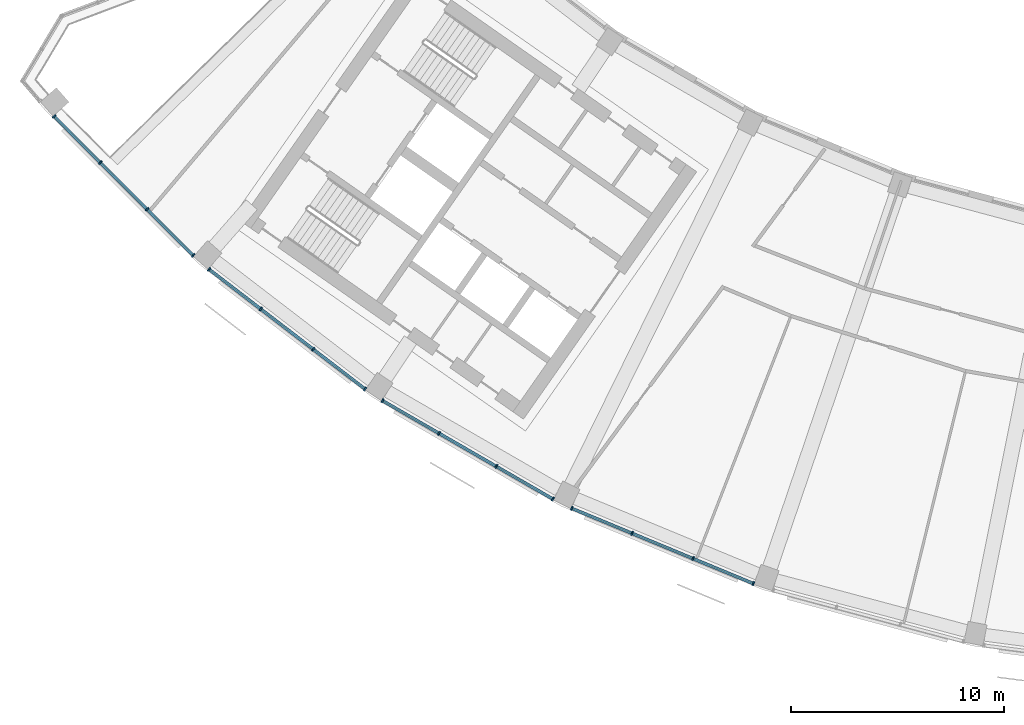
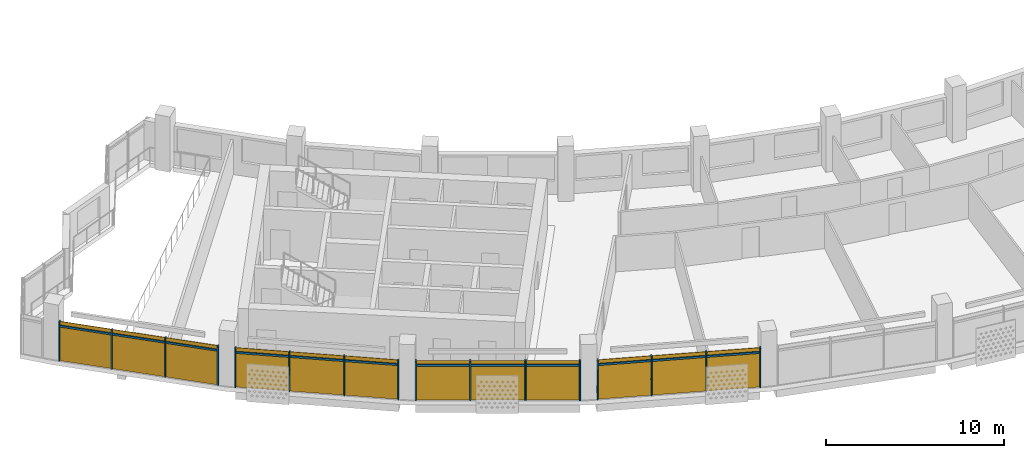
# One storey, part 17 of 29: 28 members, 4 curtain walls.
"""IFC4 building model written with IfcOpenShell, lengths in metres."""

from ifc_helpers import new_model, si_unit, direction, frame, origin, origin_2d, place, context, subcontext, project, spatial, rectangle, extrude, material, material_profile, profile_set, type_object, element, aggregate, save


model = new_model("IFC4")

# Units and contexts
model_context = context("Model", 3, precision=1e-05, world=origin(), true_north=direction((0.0, 1.0)))
body_context = subcontext(model_context, "Body", "Model", "MODEL_VIEW")
ifc_project = project(units=[si_unit("LENGTHUNIT", "METRE"), si_unit("AREAUNIT", "SQUARE_METRE"), si_unit("VOLUMEUNIT", "CUBIC_METRE"), si_unit("PLANEANGLEUNIT", "RADIAN"), si_unit("MASSUNIT", "GRAM", prefix="KILO")], contexts=[model_context])

# Member
ifc_material = material(Name="Aluminium 6063-T6 anodised", Category="aluminium")
ifc_material_profile_1 = material_profile(ifc_material, rectangle(XDim=0.199951171875, YDim=0.070068359375, at=origin_2d()))
ifc_profile_set_1 = profile_set([ifc_material_profile_1], Name="Aluminium 6063-T6 anodised")
member_type_1 = type_object("IfcMemberType", Name="Mullion 70 x 200 aluminium", PredefinedType="MULLION", material=ifc_profile_set_1)
site_placement = place(None, origin())
building_placement = place(site_placement, origin())
storey_placement = place(building_placement, frame((0.0, 0.0, 261.89990234375)))
member_1_placement = place(storey_placement, frame((-58.482421875, -51.942626953125, 0.0), z_axis=(0.0, 0.0, 1.0), x_axis=(0.707106781187, 0.707106781187, 0.0)))
member_1 = element("IfcMember", 1, at=member_1_placement, type_object=member_type_1, Name="e-cw1-L63-out01/M00", PredefinedType="MULLION", context=body_context, shape_type="SweptSolid", body=[
    extrude(rectangle(XDim=0.199951171875, YDim=0.070068359375, at=origin_2d()), origin(), (0.0, 0.0, 1.0), 2.7001953125),
])

member_2_placement = place(storey_placement, frame((-56.310791015625, -54.1142578125, 0.0), z_axis=(0.0, 0.0, 1.0), x_axis=(0.707106781187, 0.707106781187, 0.0)))
member_2 = element("IfcMember", 2, at=member_2_placement, type_object=member_type_1, Name="e-cw1-L63-out01/M01", PredefinedType="MULLION", context=body_context, shape_type="SweptSolid", body=[
    extrude(rectangle(XDim=0.199951171875, YDim=0.070068359375, at=origin_2d()), origin(), (0.0, 0.0, 1.0), 2.7001953125),
])

member_3_placement = place(storey_placement, frame((-54.1142578125, -56.310791015625, 0.0), z_axis=(0.0, 0.0, 1.0), x_axis=(0.707106781187, 0.707106781187, 0.0)))
member_3 = element("IfcMember", 3, at=member_3_placement, type_object=member_type_1, Name="e-cw1-L63-out01/M02", PredefinedType="MULLION", context=body_context, shape_type="SweptSolid", body=[
    extrude(rectangle(XDim=0.199951171875, YDim=0.070068359375, at=origin_2d()), origin(), (0.0, 0.0, 1.0), 2.7001953125),
])

member_4_placement = place(storey_placement, frame((-51.942626953125, -58.482421875, 0.0), z_axis=(0.0, 0.0, 1.0), x_axis=(0.707106781187, 0.707106781187, 0.0)))
member_4 = element("IfcMember", 4, at=member_4_placement, type_object=member_type_1, Name="e-cw1-L63-out01/M03", PredefinedType="MULLION", context=body_context, shape_type="SweptSolid", body=[
    extrude(rectangle(XDim=0.199951171875, YDim=0.070068359375, at=origin_2d()), origin(), (0.0, 0.0, 1.0), 2.7001953125),
])

member_5_placement = place(storey_placement, frame((-51.2021484375, -59.131591796875, 0.0), z_axis=(0.0, 0.0, 1.0), x_axis=(0.608761429009, 0.793353340291, 0.0)))
member_5 = element("IfcMember", 5, at=member_5_placement, type_object=member_type_1, Name="e-cw1-L63-out02/M00", PredefinedType="MULLION", context=body_context, shape_type="SweptSolid", body=[
    extrude(rectangle(XDim=0.199951171875, YDim=0.070068359375, at=origin_2d()), origin(), (0.0, 0.0, 1.0), 2.7001953125),
])

member_6_placement = place(storey_placement, frame((-48.765625, -61.001220703125, 0.0), z_axis=(0.0, 0.0, 1.0), x_axis=(0.608761429009, 0.793353340291, 0.0)))
member_6 = element("IfcMember", 6, at=member_6_placement, type_object=member_type_1, Name="e-cw1-L63-out02/M01", PredefinedType="MULLION", context=body_context, shape_type="SweptSolid", body=[
    extrude(rectangle(XDim=0.199951171875, YDim=0.070068359375, at=origin_2d()), origin(), (0.0, 0.0, 1.0), 2.7001953125),
])

member_7_placement = place(storey_placement, frame((-46.30126953125, -62.892333984375, 0.0), z_axis=(0.0, 0.0, 1.0), x_axis=(0.608761429009, 0.793353340291, 0.0)))
member_7 = element("IfcMember", 7, at=member_7_placement, type_object=member_type_1, Name="e-cw1-L63-out02/M02", PredefinedType="MULLION", context=body_context, shape_type="SweptSolid", body=[
    extrude(rectangle(XDim=0.199951171875, YDim=0.070068359375, at=origin_2d()), origin(), (0.0, 0.0, 1.0), 2.7001953125),
])

member_8_placement = place(storey_placement, frame((-43.86474609375, -64.761962890625, 0.0), z_axis=(0.0, 0.0, 1.0), x_axis=(0.608761429009, 0.793353340291, 0.0)))
member_8 = element("IfcMember", 8, at=member_8_placement, type_object=member_type_1, Name="e-cw1-L63-out02/M03", PredefinedType="MULLION", context=body_context, shape_type="SweptSolid", body=[
    extrude(rectangle(XDim=0.199951171875, YDim=0.070068359375, at=origin_2d()), origin(), (0.0, 0.0, 1.0), 2.7001953125),
])

member_9_placement = place(storey_placement, frame((-43.0458984375, -65.30908203125, 0.0), z_axis=(0.0, 0.0, 1.0), x_axis=(0.5, 0.866025403784, 0.0)))
member_9 = element("IfcMember", 9, at=member_9_placement, type_object=member_type_1, Name="e-cw1-L63-out03/M00", PredefinedType="MULLION", context=body_context, shape_type="SweptSolid", body=[
    extrude(rectangle(XDim=0.199951171875, YDim=0.070068359375, at=origin_2d()), origin(), (0.0, 0.0, 1.0), 2.7001953125),
])

member_10_placement = place(storey_placement, frame((-40.38623046875, -66.8447265625, 0.0), z_axis=(0.0, 0.0, 1.0), x_axis=(0.5, 0.866025403784, 0.0)))
member_10 = element("IfcMember", 10, at=member_10_placement, type_object=member_type_1, Name="e-cw1-L63-out03/M01", PredefinedType="MULLION", context=body_context, shape_type="SweptSolid", body=[
    extrude(rectangle(XDim=0.199951171875, YDim=0.070068359375, at=origin_2d()), origin(), (0.0, 0.0, 1.0), 2.7001953125),
])

member_11_placement = place(storey_placement, frame((-37.696044921875, -68.397705078125, 0.0), z_axis=(0.0, 0.0, 1.0), x_axis=(0.5, 0.866025403784, 0.0)))
member_11 = element("IfcMember", 11, at=member_11_placement, type_object=member_type_1, Name="e-cw1-L63-out03/M02", PredefinedType="MULLION", context=body_context, shape_type="SweptSolid", body=[
    extrude(rectangle(XDim=0.199951171875, YDim=0.070068359375, at=origin_2d()), origin(), (0.0, 0.0, 1.0), 2.7001953125),
])

member_12_placement = place(storey_placement, frame((-35.036376953125, -69.933349609375, 0.0), z_axis=(0.0, 0.0, 1.0), x_axis=(0.5, 0.866025403784, 0.0)))
member_12 = element("IfcMember", 12, at=member_12_placement, type_object=member_type_1, Name="e-cw1-L63-out03/M03", PredefinedType="MULLION", context=body_context, shape_type="SweptSolid", body=[
    extrude(rectangle(XDim=0.199951171875, YDim=0.070068359375, at=origin_2d()), origin(), (0.0, 0.0, 1.0), 2.7001953125),
])

member_13_placement = place(storey_placement, frame((-34.153076171875, -70.368896484375, 0.0), z_axis=(0.0, 0.0, 1.0), x_axis=(0.382683432365, 0.923879532511, 0.0)))
member_13 = element("IfcMember", 13, at=member_13_placement, type_object=member_type_1, Name="e-cw1-L63-out04/M00", PredefinedType="MULLION", context=body_context, shape_type="SweptSolid", body=[
    extrude(rectangle(XDim=0.199951171875, YDim=0.070068359375, at=origin_2d()), origin(), (0.0, 0.0, 1.0), 2.7001953125),
])

member_14_placement = place(storey_placement, frame((-31.315673828125, -71.544189453125, 0.0), z_axis=(0.0, 0.0, 1.0), x_axis=(0.382683432365, 0.923879532511, 0.0)))
member_14 = element("IfcMember", 14, at=member_14_placement, type_object=member_type_1, Name="e-cw1-L63-out04/M01", PredefinedType="MULLION", context=body_context, shape_type="SweptSolid", body=[
    extrude(rectangle(XDim=0.199951171875, YDim=0.070068359375, at=origin_2d()), origin(), (0.0, 0.0, 1.0), 2.7001953125),
])

member_15_placement = place(storey_placement, frame((-28.44580078125, -72.73291015625, 0.0), z_axis=(0.0, 0.0, 1.0), x_axis=(0.382683432365, 0.923879532511, 0.0)))
member_15 = element("IfcMember", 15, at=member_15_placement, type_object=member_type_1, Name="e-cw1-L63-out04/M02", PredefinedType="MULLION", context=body_context, shape_type="SweptSolid", body=[
    extrude(rectangle(XDim=0.199951171875, YDim=0.070068359375, at=origin_2d()), origin(), (0.0, 0.0, 1.0), 2.7001953125),
])

member_16_placement = place(storey_placement, frame((-25.6083984375, -73.908203125, 0.0), z_axis=(0.0, 0.0, 1.0), x_axis=(0.382683432365, 0.923879532511, 0.0)))
member_16 = element("IfcMember", 16, at=member_16_placement, type_object=member_type_1, Name="e-cw1-L63-out04/M03", PredefinedType="MULLION", context=body_context, shape_type="SweptSolid", body=[
    extrude(rectangle(XDim=0.199951171875, YDim=0.070068359375, at=origin_2d()), origin(), (0.0, 0.0, 1.0), 2.7001953125),
])

ifc_material_profile_2 = material_profile(ifc_material, rectangle(XDim=0.139892578125, YDim=0.1201171875, at=origin_2d()))
ifc_profile_set_2 = profile_set([ifc_material_profile_2], Name="Aluminium 6063-T6 anodised")
member_type_2 = type_object("IfcMemberType", Name="Transom 120 x 140 aluminium", PredefinedType="USERDEFINED", material=ifc_profile_set_2)
member_17_placement = place(storey_placement, frame((-58.45751953125, -51.96728515625, 2.400146484375), z_axis=(0.707066106633, -0.707147453401, 0.0), x_axis=(0.707147453401, 0.707066106633, 0.0)))
member_17 = element("IfcMember", 17, at=member_17_placement, type_object=member_type_2, Name="e-cw1-L63-out01/T00", ObjectType="TRANSOM", PredefinedType="USERDEFINED", context=body_context, shape_type="SweptSolid", body=[
    extrude(rectangle(XDim=0.139892578125, YDim=0.1201171875, at=origin_2d()), origin(), (0.0, 0.0, 1.0), 3.001220703125),
])

member_18_placement = place(storey_placement, frame((-56.285888671875, -54.138916015625, 2.400146484375), z_axis=(0.707106781187, -0.707106781187, 0.0), x_axis=(0.707106781187, 0.707106781187, 0.0)))
member_18 = element("IfcMember", 18, at=member_18_placement, type_object=member_type_2, Name="e-cw1-L63-out01/T01", ObjectType="TRANSOM", PredefinedType="USERDEFINED", context=body_context, shape_type="SweptSolid", body=[
    extrude(rectangle(XDim=0.139892578125, YDim=0.1201171875, at=origin_2d()), origin(), (0.0, 0.0, 1.0), 3.036376953125),
])

member_19_placement = place(storey_placement, frame((-54.089599609375, -56.33544921875, 2.400146484375), z_axis=(0.707147453401, -0.707066106633, 0.0), x_axis=(0.707066106633, 0.707147453401, 0.0)))
member_19 = element("IfcMember", 19, at=member_19_placement, type_object=member_type_2, Name="e-cw1-L63-out01/T02", ObjectType="TRANSOM", PredefinedType="USERDEFINED", context=body_context, shape_type="SweptSolid", body=[
    extrude(rectangle(XDim=0.139892578125, YDim=0.1201171875, at=origin_2d()), origin(), (0.0, 0.0, 1.0), 3.001220703125),
])

member_20_placement = place(storey_placement, frame((-51.17431640625, -59.153076171875, 2.400146484375), z_axis=(0.793352271072, -0.60876282244, 0.0), x_axis=(0.60876282244, 0.793352271072, 0.0)))
member_20 = element("IfcMember", 20, at=member_20_placement, type_object=member_type_2, Name="e-cw1-L63-out02/T00", ObjectType="TRANSOM", PredefinedType="USERDEFINED", context=body_context, shape_type="SweptSolid", body=[
    extrude(rectangle(XDim=0.139892578125, YDim=0.1201171875, at=origin_2d()), origin(), (0.0, 0.0, 1.0), 3.0009765625),
])

member_21_placement = place(storey_placement, frame((-48.73779296875, -61.022705078125, 2.400146484375), z_axis=(0.79333190513, -0.608789362836, 0.0), x_axis=(0.608789362836, 0.79333190513, 0.0)))
member_21 = element("IfcMember", 21, at=member_21_placement, type_object=member_type_2, Name="e-cw1-L63-out02/T01", ObjectType="TRANSOM", PredefinedType="USERDEFINED", context=body_context, shape_type="SweptSolid", body=[
    extrude(rectangle(XDim=0.139892578125, YDim=0.1201171875, at=origin_2d()), origin(), (0.0, 0.0, 1.0), 3.0361328125),
])

member_22_placement = place(storey_placement, frame((-46.2734375, -62.91357421875, 2.400146484375), z_axis=(0.793312980955, -0.60881402271, 0.0), x_axis=(0.60881402271, 0.793312980955, 0.0)))
member_22 = element("IfcMember", 22, at=member_22_placement, type_object=member_type_2, Name="e-cw1-L63-out02/T02", ObjectType="TRANSOM", PredefinedType="USERDEFINED", context=body_context, shape_type="SweptSolid", body=[
    extrude(rectangle(XDim=0.139892578125, YDim=0.1201171875, at=origin_2d()), origin(), (0.0, 0.0, 1.0), 3.001220703125),
])

member_23_placement = place(storey_placement, frame((-43.015625, -65.32666015625, 2.400146484375), z_axis=(0.866041993159, -0.49997126526, 0.0), x_axis=(0.49997126526, 0.866041993159, 0.0)))
member_23 = element("IfcMember", 23, at=member_23_placement, type_object=member_type_2, Name="e-cw1-L63-out03/T00", ObjectType="TRANSOM", PredefinedType="USERDEFINED", context=body_context, shape_type="SweptSolid", body=[
    extrude(rectangle(XDim=0.139892578125, YDim=0.1201171875, at=origin_2d()), origin(), (0.0, 0.0, 1.0), 3.001220703125),
])

member_24_placement = place(storey_placement, frame((-40.35595703125, -66.862060546875, 2.400146484375), z_axis=(0.866012861315, -0.500021723565, 0.0), x_axis=(0.500021723565, 0.866012861315, 0.0)))
member_24 = element("IfcMember", 24, at=member_24_placement, type_object=member_type_2, Name="e-cw1-L63-out03/T01", ObjectType="TRANSOM", PredefinedType="USERDEFINED", context=body_context, shape_type="SweptSolid", body=[
    extrude(rectangle(XDim=0.139892578125, YDim=0.1201171875, at=origin_2d()), origin(), (0.0, 0.0, 1.0), 3.036376953125),
])

member_25_placement = place(storey_placement, frame((-37.665771484375, -68.415283203125, 2.400146484375), z_axis=(0.866041993159, -0.49997126526, 0.0), x_axis=(0.49997126526, 0.866041993159, 0.0)))
member_25 = element("IfcMember", 25, at=member_25_placement, type_object=member_type_2, Name="e-cw1-L63-out03/T02", ObjectType="TRANSOM", PredefinedType="USERDEFINED", context=body_context, shape_type="SweptSolid", body=[
    extrude(rectangle(XDim=0.139892578125, YDim=0.1201171875, at=origin_2d()), origin(), (0.0, 0.0, 1.0), 3.001220703125),
])

member_26_placement = place(storey_placement, frame((-34.120849609375, -70.38232421875, 2.400146484375), z_axis=(0.923897869521, -0.382639159907, 0.0), x_axis=(0.382639159907, 0.923897869521, 0.0)))
member_26 = element("IfcMember", 26, at=member_26_placement, type_object=member_type_2, Name="e-cw1-L63-out04/T00", ObjectType="TRANSOM", PredefinedType="USERDEFINED", context=body_context, shape_type="SweptSolid", body=[
    extrude(rectangle(XDim=0.139892578125, YDim=0.1201171875, at=origin_2d()), origin(), (0.0, 0.0, 1.0), 3.00146484375),
])

member_27_placement = place(storey_placement, frame((-31.283447265625, -71.5576171875, 2.400146484375), z_axis=(0.923888454036, -0.38266189319, 0.0), x_axis=(0.38266189319, 0.923888454036, 0.0)))
member_27 = element("IfcMember", 27, at=member_27_placement, type_object=member_type_2, Name="e-cw1-L63-out04/T01", ObjectType="TRANSOM", PredefinedType="USERDEFINED", context=body_context, shape_type="SweptSolid", body=[
    extrude(rectangle(XDim=0.139892578125, YDim=0.1201171875, at=origin_2d()), origin(), (0.0, 0.0, 1.0), 3.036376953125),
])

member_28_placement = place(storey_placement, frame((-28.41357421875, -72.746337890625, 2.400146484375), z_axis=(0.923885958475, -0.382667918347, 0.0), x_axis=(0.382667918347, 0.923885958475, 0.0)))
member_28 = element("IfcMember", 28, at=member_28_placement, type_object=member_type_2, Name="e-cw1-L63-out04/T02", ObjectType="TRANSOM", PredefinedType="USERDEFINED", context=body_context, shape_type="SweptSolid", body=[
    extrude(rectangle(XDim=0.139892578125, YDim=0.1201171875, at=origin_2d()), origin(), (0.0, 0.0, 1.0), 3.001220703125),
])

# Site, building, storey
site = spatial("IfcSite", under=ifc_project, at=site_placement, CompositionType="ELEMENT")
building = spatial("IfcBuilding", under=site, at=building_placement, Name="Qamariyya Broadcast Tower", CompositionType="ELEMENT")
storey = spatial("IfcBuildingStorey", under=building, at=storey_placement, Name="L63", CompositionType="ELEMENT", Elevation=261.89990234375)

# Curtain wall
curtain_wall_type = type_object("IfcCurtainWallType", Name="Unitised curtain wall, anodised aluminium", PredefinedType="NOTDEFINED", material=ifc_material)
curtain_wall_1_placement = place(storey_placement, origin())
curtain_wall_1 = element("IfcCurtainWall", 29, at=curtain_wall_1_placement, inside=storey, type_object=curtain_wall_type, Name="e-cw1-L63-out01", PredefinedType="NOTDEFINED", context=body_context, shape_type="SweptSolid", body=[
    extrude(rectangle(XDim=3.001220703125, YDim=0.031982421875, at=origin_2d()), frame((-57.396484375, -53.0283203125, 0.0), x_axis=(0.707106781187, -0.707106781187, 0.0)), (0.0, 0.0, 1.0), 2.340087890625),
    extrude(rectangle(XDim=3.001220703125, YDim=0.031982421875, at=origin_2d()), frame((-57.396484375, -53.0283203125, 2.460205078125), x_axis=(0.707106781187, -0.707106781187, 0.0)), (0.0, 0.0, 1.0), 0.239990234375),
    extrude(rectangle(XDim=3.0361328125, YDim=0.031982421875, at=origin_2d()), frame((-55.21240234375, -55.21240234375, 0.0), x_axis=(0.707106781187, -0.707106781187, 0.0)), (0.0, 0.0, 1.0), 2.340087890625),
    extrude(rectangle(XDim=3.0361328125, YDim=0.031982421875, at=origin_2d()), frame((-55.21240234375, -55.21240234375, 2.460205078125), x_axis=(0.707106781187, -0.707106781187, 0.0)), (0.0, 0.0, 1.0), 0.239990234375),
    extrude(rectangle(XDim=3.001220703125, YDim=0.031982421875, at=origin_2d()), frame((-53.0283203125, -57.396484375, 0.0), x_axis=(0.707106781187, -0.707106781187, 0.0)), (0.0, 0.0, 1.0), 2.340087890625),
    extrude(rectangle(XDim=3.001220703125, YDim=0.031982421875, at=origin_2d()), frame((-53.0283203125, -57.396484375, 2.460205078125), x_axis=(0.707106781187, -0.707106781187, 0.0)), (0.0, 0.0, 1.0), 0.239990234375),
])

aggregate(curtain_wall_1, [member_1, member_2, member_3, member_4, member_17, member_18, member_19])

curtain_wall_2_placement = place(storey_placement, origin())
curtain_wall_2 = element("IfcCurtainWall", 30, at=curtain_wall_2_placement, inside=storey, type_object=curtain_wall_type, Name="e-cw1-L63-out02", PredefinedType="NOTDEFINED", context=body_context, shape_type="SweptSolid", body=[
    extrude(rectangle(XDim=3.001220703125, YDim=0.031982421875, at=origin_2d()), frame((-49.98388671875, -60.06640625, 0.0), x_axis=(0.793355818396, -0.608758199466, 0.0)), (0.0, 0.0, 1.0), 2.340087890625),
    extrude(rectangle(XDim=3.001220703125, YDim=0.031982421875, at=origin_2d()), frame((-49.98388671875, -60.06640625, 2.460205078125), x_axis=(0.793355818396, -0.608758199466, 0.0)), (0.0, 0.0, 1.0), 0.239990234375),
    extrude(rectangle(XDim=3.0361328125, YDim=0.031982421875, at=origin_2d()), frame((-47.533447265625, -61.94677734375, 0.0), x_axis=(0.793355818396, -0.608758199466, 0.0)), (0.0, 0.0, 1.0), 2.340087890625),
    extrude(rectangle(XDim=3.0361328125, YDim=0.031982421875, at=origin_2d()), frame((-47.533447265625, -61.94677734375, 2.460205078125), x_axis=(0.793355818396, -0.608758199466, 0.0)), (0.0, 0.0, 1.0), 0.239990234375),
    extrude(rectangle(XDim=3.001220703125, YDim=0.031982421875, at=origin_2d()), frame((-45.0830078125, -63.8271484375, 0.0), x_axis=(0.793355818396, -0.608758199466, 0.0)), (0.0, 0.0, 1.0), 2.340087890625),
    extrude(rectangle(XDim=3.001220703125, YDim=0.031982421875, at=origin_2d()), frame((-45.0830078125, -63.8271484375, 2.460205078125), x_axis=(0.793355818396, -0.608758199466, 0.0)), (0.0, 0.0, 1.0), 0.239990234375),
])

aggregate(curtain_wall_2, [member_5, member_6, member_7, member_8, member_20, member_21, member_22])

curtain_wall_3_placement = place(storey_placement, origin())
curtain_wall_3 = element("IfcCurtainWall", 31, at=curtain_wall_3_placement, inside=storey, type_object=curtain_wall_type, Name="e-cw1-L63-out03", PredefinedType="NOTDEFINED", context=body_context, shape_type="SweptSolid", body=[
    extrude(rectangle(XDim=3.001220703125, YDim=0.031982421875, at=origin_2d()), frame((-41.716064453125, -66.076904296875, 0.0), x_axis=(0.866017611601, -0.500013496215, 0.0)), (0.0, 0.0, 1.0), 2.340087890625),
    extrude(rectangle(XDim=3.001220703125, YDim=0.031982421875, at=origin_2d()), frame((-41.716064453125, -66.076904296875, 2.460205078125), x_axis=(0.866017611601, -0.500013496215, 0.0)), (0.0, 0.0, 1.0), 0.239990234375),
    extrude(rectangle(XDim=3.0361328125, YDim=0.031982421875, at=origin_2d()), frame((-39.041015625, -67.62109375, 0.0), x_axis=(0.866017611601, -0.500013496215, 0.0)), (0.0, 0.0, 1.0), 2.340087890625),
    extrude(rectangle(XDim=3.0361328125, YDim=0.031982421875, at=origin_2d()), frame((-39.041015625, -67.62109375, 2.460205078125), x_axis=(0.866017611601, -0.500013496215, 0.0)), (0.0, 0.0, 1.0), 0.239990234375),
    extrude(rectangle(XDim=3.001220703125, YDim=0.031982421875, at=origin_2d()), frame((-36.3662109375, -69.16552734375, 0.0), x_axis=(0.866017611601, -0.500013496215, 0.0)), (0.0, 0.0, 1.0), 2.340087890625),
    extrude(rectangle(XDim=3.001220703125, YDim=0.031982421875, at=origin_2d()), frame((-36.3662109375, -69.16552734375, 2.460205078125), x_axis=(0.866017611601, -0.500013496215, 0.0)), (0.0, 0.0, 1.0), 0.239990234375),
])

aggregate(curtain_wall_3, [member_9, member_10, member_11, member_12, member_23, member_24, member_25])

curtain_wall_4_placement = place(storey_placement, origin())
curtain_wall_4 = element("IfcCurtainWall", 32, at=curtain_wall_4_placement, inside=storey, type_object=curtain_wall_type, Name="e-cw1-L63-out04", PredefinedType="NOTDEFINED", context=body_context, shape_type="SweptSolid", body=[
    extrude(rectangle(XDim=3.001220703125, YDim=0.031982421875, at=origin_2d()), frame((-32.734375, -70.95654296875, 0.0), x_axis=(0.923877930643, -0.382687299595, 0.0)), (0.0, 0.0, 1.0), 2.340087890625),
    extrude(rectangle(XDim=3.001220703125, YDim=0.031982421875, at=origin_2d()), frame((-32.734375, -70.95654296875, 2.460205078125), x_axis=(0.923877930643, -0.382687299595, 0.0)), (0.0, 0.0, 1.0), 0.239990234375),
    extrude(rectangle(XDim=3.0361328125, YDim=0.031982421875, at=origin_2d()), frame((-29.880859375, -72.138671875, 0.0), x_axis=(0.923877930643, -0.382687299595, 0.0)), (0.0, 0.0, 1.0), 2.340087890625),
    extrude(rectangle(XDim=3.0361328125, YDim=0.031982421875, at=origin_2d()), frame((-29.880859375, -72.138671875, 2.460205078125), x_axis=(0.923877930643, -0.382687299595, 0.0)), (0.0, 0.0, 1.0), 0.239990234375),
    extrude(rectangle(XDim=3.001220703125, YDim=0.031982421875, at=origin_2d()), frame((-27.02734375, -73.320556640625, 0.0), x_axis=(0.923877930643, -0.382687299595, 0.0)), (0.0, 0.0, 1.0), 2.340087890625),
    extrude(rectangle(XDim=3.001220703125, YDim=0.031982421875, at=origin_2d()), frame((-27.02734375, -73.320556640625, 2.460205078125), x_axis=(0.923877930643, -0.382687299595, 0.0)), (0.0, 0.0, 1.0), 0.239990234375),
])

aggregate(curtain_wall_4, [member_13, member_14, member_15, member_16, member_26, member_27, member_28])

save(model, "model.ifc")
